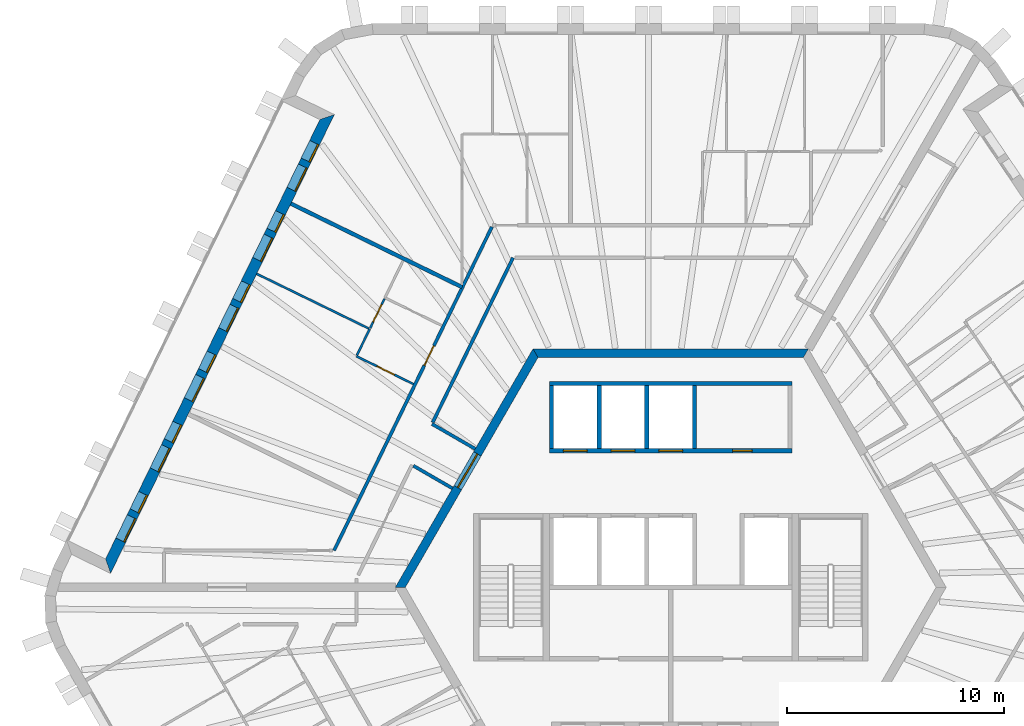
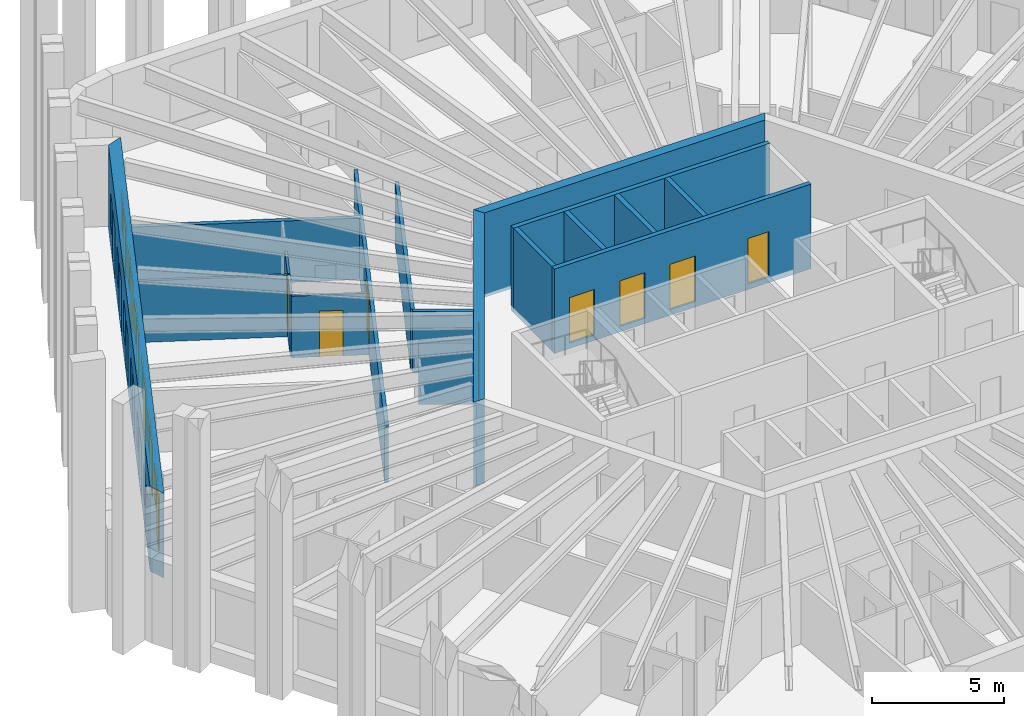
# One storey, part 8 of 13: 18 walls, 14 doors, 6 windows, 20 openings.
"""IFC4 building model written with IfcOpenShell, lengths in metres."""

from ifc_helpers import new_model, si_unit, direction, frame, frame_2d, origin, place, context, subcontext, project, spatial, polyline, rectangle, outline, extrude, material, layer, layer_set, type_object, element, fill, save


model = new_model("IFC4")

# Units and contexts
model_context = context("Model", 3, precision=1e-05, world=origin(), true_north=direction((0.0, 1.0)))
body_context = subcontext(model_context, "Body", "Model", "MODEL_VIEW")
ifc_project = project(units=[si_unit("LENGTHUNIT", "METRE"), si_unit("AREAUNIT", "SQUARE_METRE"), si_unit("VOLUMEUNIT", "CUBIC_METRE"), si_unit("PLANEANGLEUNIT", "RADIAN"), si_unit("MASSUNIT", "GRAM", prefix="KILO")], contexts=[model_context])

# Site, building, storey
site_placement = place(None, origin())
site = spatial("IfcSite", under=ifc_project, at=site_placement, CompositionType="ELEMENT")
building_placement = place(site_placement, origin())
building = spatial("IfcBuilding", under=site, at=building_placement, Name="Tarnside Tower", CompositionType="ELEMENT")
storey_placement = place(building_placement, frame((0.0, 0.0, 326.39990234375)))
storey = spatial("IfcBuildingStorey", under=building, at=storey_placement, Name="L79", CompositionType="ELEMENT", Elevation=326.39990234375)

# Wall, opening, door
ifc_material_1 = material(Name="Concrete C60/75", Category="concrete")
ifc_layer_1 = layer(ifc_material_1, 0.39990234375)
ifc_layer_set_1 = layer_set([ifc_layer_1], Name="Core wall Z3 400 C60/75")
wall_type_1 = type_object("IfcWallType", Name="Core wall Z3 400 C60/75", PredefinedType="SHEAR", material=ifc_layer_set_1)
wall_1_placement = place(storey_placement, frame((-6.2353515625, 10.800048828125, -0.14990234375), z_axis=(0.0, 0.0, 1.0), x_axis=(-0.499996419489, -0.866027470984, 0.0)))
wall_1 = element("IfcWall", 1, at=wall_1_placement, inside=storey, type_object=wall_type_1, Name="L79 core wall face 2", PredefinedType="SHEAR", context=body_context, shape_type="SweptSolid", body=[
    extrude(outline(polyline([(-0.115478515625, -0.199951171875), (12.586181640625, -0.199951171875), (12.355224609375, 0.199951171875), (0.115478515625, 0.199951171875), (-0.115478515625, -0.199951171875)])), origin(), (0.0, 0.0, 1.0), 3.89990234375),
])
opening_1_placement = place(wall_1_placement, frame((5.3642578125, 0.0, 0.14990234375)))
opening_1 = element("IfcOpeningElement", 2, at=opening_1_placement, cuts=wall_1, Name="Opening CD-LOB", PredefinedType="OPENING", context=body_context, shape_type="SweptSolid", body=[
    extrude(rectangle(XDim=1.800048828125, YDim=2.39990234375, at=frame_2d((0.89990234375, 1.199951171875))), frame((0.0, 0.2099609375, 0.0), z_axis=(0.0, -1.0, 0.0), x_axis=(1.0, 0.0, 0.0)), (0.0, 0.0, 1.0), 0.419921875),
])
ifc_material_2 = material(Name="Steel fire door", Category="steel")
door_type_1 = type_object("IfcDoorType", Name="Lobby double door FD30S 1800x2400", OperationType="NOTDEFINED", PredefinedType="DOOR", material=ifc_material_2)
door_1_placement = place(opening_1_placement, origin())
door_1 = element("IfcDoor", 3, at=door_1_placement, inside=storey, type_object=door_type_1, Name="L79 core door P1", OperationType="DOUBLE_DOOR_SINGLE_SWING", OverallHeight=2.39990234375, OverallWidth=1.800048828125, PredefinedType="DOOR", context=body_context, shape_type="SweptSolid", body=[
    extrude(rectangle(XDim=1.800048828125, YDim=2.39990234375, at=frame_2d((0.89990234375, 1.199951171875))), frame((0.0, 0.02490234375, 0.0), z_axis=(0.0, -1.0, 0.0), x_axis=(1.0, 0.0, 0.0)), (0.0, 0.0, 1.0), 0.050048828125),
])
fill(opening_1, door_1)

# Wall
wall_2_placement = place(storey_placement, frame((6.2353515625, 10.800048828125, -0.14990234375), z_axis=(0.0, 0.0, 1.0), x_axis=(-1.0, 0.0, 0.0)))
element("IfcWall", 4, at=wall_2_placement, inside=storey, type_object=wall_type_1, Name="L79 core wall face 1", PredefinedType="SHEAR", context=body_context, shape_type="SweptSolid", body=[
    extrude(outline(polyline([(-0.115478515625, -0.199951171875), (12.586181640625, -0.199951171875), (12.355224609375, 0.199951171875), (0.115478515625, 0.199951171875), (-0.115478515625, -0.199951171875)])), origin(), (0.0, 0.0, 1.0), 3.89990234375),
])

# Wall, opening, door
ifc_material_3 = material(Name="Gypsum board partition on steel studs", Category="steel")
ifc_layer_2 = layer(ifc_material_3, 0.14990234375)
ifc_layer_set_2 = layer_set([ifc_layer_2], Name="Corridor wall 150 EI 60")
wall_type_2 = type_object("IfcWallType", Name="Corridor wall 150 EI 60", PredefinedType="PARTITIONING", material=ifc_layer_set_2)
wall_3_placement = place(storey_placement, frame((-8.24658203125, 16.625, 0.0), z_axis=(0.0, 0.0, 1.0), x_axis=(-0.438376416131, -0.89879147625, 0.0)))
wall_3 = element("IfcWall", 5, at=wall_3_placement, inside=storey, type_object=wall_type_2, Name="Corridor wall 26009", PredefinedType="PARTITIONING", context=body_context, shape_type="SweptSolid", body=[
    extrude(rectangle(XDim=16.605712890625, YDim=0.14990234375, at=frame_2d((8.302734375, 0.0))), origin(), (0.0, 0.0, 1.0), 2.837890625),
])
opening_2_placement = place(wall_3_placement, frame((6.1025390625, 0.0, 0.0)))
opening_2 = element("IfcOpeningElement", 6, at=opening_2_placement, cuts=wall_3, Name="Opening D-E1", PredefinedType="OPENING", context=body_context, shape_type="SweptSolid", body=[
    extrude(rectangle(XDim=1.0, YDim=2.10009765625, at=frame_2d((0.5, 1.050048828125))), frame((0.0, 0.0849609375, 0.0), z_axis=(0.0, -1.0, 0.0), x_axis=(1.0, 0.0, 0.0)), (0.0, 0.0, 1.0), 0.169921875),
])
ifc_material_4 = material(Name="Timber door leaf", Category="wood")
door_type_2 = type_object("IfcDoorType", Name="Unit entrance door 1000 FD30S", OperationType="NOTDEFINED", PredefinedType="DOOR", material=ifc_material_4)
door_2_placement = place(opening_2_placement, origin())
door_2 = element("IfcDoor", 7, at=door_2_placement, inside=storey, type_object=door_type_2, Name="Unit door 26014", OperationType="SINGLE_SWING_LEFT", OverallHeight=2.10009765625, OverallWidth=1.0, PredefinedType="DOOR", context=body_context, shape_type="SweptSolid", body=[
    extrude(rectangle(XDim=1.0, YDim=2.10009765625, at=frame_2d((0.5, 1.050048828125))), frame((0.0, 0.02490234375, 0.0), z_axis=(0.0, -1.0, 0.0), x_axis=(1.0, 0.0, 0.0)), (0.0, 0.0, 1.0), 0.050048828125),
])
fill(opening_2, door_2)

# Walls
wall_4_placement = place(storey_placement, frame((-9.015625, 6.38427734375, 0.0), z_axis=(0.0, 0.0, 1.0), x_axis=(-0.866030286288, 0.49999154316, 0.0)))
element("IfcWall", 8, at=wall_4_placement, inside=storey, type_object=wall_type_2, Name="Corridor wall 26017", PredefinedType="PARTITIONING", context=body_context, shape_type="SweptSolid", body=[
    extrude(rectangle(XDim=2.3037109375, YDim=0.14990234375, at=frame_2d((1.15185546875, 0.0))), origin(), (0.0, 0.0, 1.0), 2.837890625),
])
wall_5_placement = place(storey_placement, frame((-10.977783203125, 7.603759765625, 0.0), z_axis=(0.0, 0.0, 1.0), x_axis=(0.43838720727, 0.898786212902, 0.0)))
element("IfcWall", 9, at=wall_5_placement, inside=storey, type_object=wall_type_2, Name="Corridor wall 26018", PredefinedType="PARTITIONING", context=body_context, shape_type="SweptSolid", body=[
    extrude(rectangle(XDim=8.45166015625, YDim=0.14990234375, at=frame_2d((4.225830078125, 0.0))), origin(), (0.0, 0.0, 1.0), 2.837890625),
])
wall_6_placement = place(storey_placement, frame((-11.868408203125, 5.6064453125, 0.0), z_axis=(0.0, 0.0, 1.0), x_axis=(0.866033244403, -0.499986419405, 0.0)))
element("IfcWall", 10, at=wall_6_placement, inside=storey, type_object=wall_type_2, Name="Corridor wall 26025", PredefinedType="PARTITIONING", context=body_context, shape_type="SweptSolid", body=[
    extrude(rectangle(XDim=2.08154296875, YDim=0.14990234375, at=frame_2d((1.040771484375, 0.0))), origin(), (0.0, 0.0, 1.0), 2.837890625),
])
ifc_layer_3 = layer(ifc_material_3, 0.179931640625)
ifc_layer_set_3 = layer_set([ifc_layer_3], Name="Demising wall 180 EI 60")
wall_type_3 = type_object("IfcWallType", Name="Demising wall 180 EI 60", PredefinedType="PARTITIONING", material=ifc_layer_set_3)
wall_7_placement = place(storey_placement, frame((-17.51611328125, 17.694091796875, 0.0), z_axis=(0.0, 0.0, 1.0), x_axis=(0.898787414812, -0.438384743092, 0.0)))
element("IfcWall", 11, at=wall_7_placement, inside=storey, type_object=wall_type_3, Name="Demising wall 26097", PredefinedType="PARTITIONING", context=body_context, shape_type="SweptSolid", body=[
    extrude(rectangle(XDim=8.781982421875, YDim=0.179931640625, at=frame_2d((4.39111328125, 0.0))), origin(), (0.0, 0.0, 1.0), 2.837890625),
])

# Wall, openings, doors
ifc_material_5 = material(Name="Concrete C40/50", Category="concrete")
ifc_layer_4 = layer(ifc_material_5, 0.199951171875)
ifc_layer_set_4 = layer_set([ifc_layer_4], Name="Lift shaft wall 200 C40/50")
wall_type_4 = type_object("IfcWallType", Name="Lift shaft wall 200 C40/50", PredefinedType="SHEAR", material=ifc_layer_set_4)
wall_8_placement = place(storey_placement, frame((-5.60009765625, 6.300048828125, -0.25), z_axis=(0.0, 0.0, 1.0), x_axis=(1.0, 0.0, 0.0)))
wall_8 = element("IfcWall", 12, at=wall_8_placement, inside=storey, type_object=wall_type_4, Name="L79 lift shaft front wall R1", PredefinedType="SHEAR", context=body_context, shape_type="SweptSolid", body=[
    extrude(rectangle(XDim=11.2001953125, YDim=0.199951171875, at=frame_2d((5.60009765625, 0.0))), origin(), (0.0, 0.0, 1.0), 3.900146484375),
])
opening_3_placement = place(wall_8_placement, frame((8.449951171875, 0.0, 0.25)))
opening_3 = element("IfcOpeningElement", 13, at=opening_3_placement, cuts=wall_8, Name="Opening CD-room", PredefinedType="OPENING", context=body_context, shape_type="SweptSolid", body=[
    extrude(rectangle(XDim=0.89990234375, YDim=2.10009765625, at=frame_2d((0.449951171875, 1.050048828125))), frame((0.0, 0.10986328125, 0.0), z_axis=(0.0, -1.0, 0.0), x_axis=(1.0, 0.0, 0.0)), (0.0, 0.0, 1.0), 0.219970703125),
])
opening_4_placement = place(wall_8_placement, frame((0.64990234375, 0.0, 0.25)))
opening_4 = element("IfcOpeningElement", 14, at=opening_4_placement, cuts=wall_8, Name="Opening LD", PredefinedType="OPENING", context=body_context, shape_type="SweptSolid", body=[
    extrude(rectangle(XDim=1.10009765625, YDim=2.10009765625, at=frame_2d((0.550048828125, 1.050048828125))), frame((0.0, 0.10986328125, 0.0), z_axis=(0.0, -1.0, 0.0), x_axis=(1.0, 0.0, 0.0)), (0.0, 0.0, 1.0), 0.219970703125),
])
opening_5_placement = place(wall_8_placement, frame((2.85009765625, 0.0, 0.25)))
opening_5 = element("IfcOpeningElement", 15, at=opening_5_placement, cuts=wall_8, Name="Opening LD", PredefinedType="OPENING", context=body_context, shape_type="SweptSolid", body=[
    extrude(rectangle(XDim=1.10009765625, YDim=2.10009765625, at=frame_2d((0.550048828125, 1.050048828125))), frame((0.0, 0.10986328125, 0.0), z_axis=(0.0, -1.0, 0.0), x_axis=(1.0, 0.0, 0.0)), (0.0, 0.0, 1.0), 0.219970703125),
])
opening_6_placement = place(wall_8_placement, frame((5.050048828125, 0.0, 0.25)))
opening_6 = element("IfcOpeningElement", 16, at=opening_6_placement, cuts=wall_8, Name="Opening LD", PredefinedType="OPENING", context=body_context, shape_type="SweptSolid", body=[
    extrude(rectangle(XDim=1.10009765625, YDim=2.10009765625, at=frame_2d((0.550048828125, 1.050048828125))), frame((0.0, 0.10986328125, 0.0), z_axis=(0.0, -1.0, 0.0), x_axis=(1.0, 0.0, 0.0)), (0.0, 0.0, 1.0), 0.219970703125),
])
ifc_material_6 = material(Name="Stainless steel", Category="steel")
door_type_3 = type_object("IfcDoorType", Name="Lift landing door 1100x2100", OperationType="NOTDEFINED", PredefinedType="DOOR", material=ifc_material_6)
door_3_placement = place(opening_4_placement, origin())
door_3 = element("IfcDoor", 17, at=door_3_placement, inside=storey, type_object=door_type_3, Name="High-rise lift 1 landing door L79", OperationType="SLIDING_TO_LEFT", OverallHeight=2.10009765625, OverallWidth=1.10009765625, PredefinedType="DOOR", context=body_context, shape_type="SweptSolid", body=[
    extrude(rectangle(XDim=1.10009765625, YDim=2.10009765625, at=frame_2d((0.550048828125, 1.050048828125))), frame((0.0, 0.02490234375, 0.0), z_axis=(0.0, -1.0, 0.0), x_axis=(1.0, 0.0, 0.0)), (0.0, 0.0, 1.0), 0.050048828125),
])
fill(opening_4, door_3)
door_4_placement = place(opening_5_placement, origin())
door_4 = element("IfcDoor", 18, at=door_4_placement, inside=storey, type_object=door_type_3, Name="High-rise lift 2 landing door L79", OperationType="SLIDING_TO_LEFT", OverallHeight=2.10009765625, OverallWidth=1.10009765625, PredefinedType="DOOR", context=body_context, shape_type="SweptSolid", body=[
    extrude(rectangle(XDim=1.10009765625, YDim=2.10009765625, at=frame_2d((0.550048828125, 1.050048828125))), frame((0.0, 0.02490234375, 0.0), z_axis=(0.0, -1.0, 0.0), x_axis=(1.0, 0.0, 0.0)), (0.0, 0.0, 1.0), 0.050048828125),
])
fill(opening_5, door_4)
door_5_placement = place(opening_6_placement, origin())
door_5 = element("IfcDoor", 19, at=door_5_placement, inside=storey, type_object=door_type_3, Name="High-rise lift 3 landing door L79", OperationType="SLIDING_TO_LEFT", OverallHeight=2.10009765625, OverallWidth=1.10009765625, PredefinedType="DOOR", context=body_context, shape_type="SweptSolid", body=[
    extrude(rectangle(XDim=1.10009765625, YDim=2.10009765625, at=frame_2d((0.550048828125, 1.050048828125))), frame((0.0, 0.02490234375, 0.0), z_axis=(0.0, -1.0, 0.0), x_axis=(1.0, 0.0, 0.0)), (0.0, 0.0, 1.0), 0.050048828125),
])
fill(opening_6, door_5)
door_type_4 = type_object("IfcDoorType", Name="Room door FD60 900x2100", OperationType="NOTDEFINED", PredefinedType="DOOR", material=ifc_material_2)
door_6_placement = place(opening_3_placement, origin())
door_6 = element("IfcDoor", 20, at=door_6_placement, inside=storey, type_object=door_type_4, Name="L79 core room door FC1", OperationType="SINGLE_SWING_LEFT", OverallHeight=2.10009765625, OverallWidth=0.89990234375, PredefinedType="DOOR", context=body_context, shape_type="SweptSolid", body=[
    extrude(rectangle(XDim=0.89990234375, YDim=2.10009765625, at=frame_2d((0.449951171875, 1.050048828125))), frame((0.0, 0.02490234375, 0.0), z_axis=(0.0, -1.0, 0.0), x_axis=(1.0, 0.0, 0.0)), (0.0, 0.0, 1.0), 0.050048828125),
])
fill(opening_3, door_6)

# Walls
wall_9_placement = place(storey_placement, frame((-5.60009765625, 9.39990234375, -0.25), z_axis=(0.0, 0.0, 1.0), x_axis=(1.0, 0.0, 0.0)))
element("IfcWall", 21, at=wall_9_placement, inside=storey, type_object=wall_type_4, Name="L79 lift shaft back wall R1", PredefinedType="SHEAR", context=body_context, shape_type="SweptSolid", body=[
    extrude(rectangle(XDim=11.2001953125, YDim=0.199951171875, at=frame_2d((5.60009765625, 0.0))), origin(), (0.0, 0.0, 1.0), 3.900146484375),
])
for number, where, z_axis, x_axis, name in (
    (22, (-5.5, 6.39990234375, -0.25), (0.0, 0.0, 1.0), (0.0, 1.0, 0.0), "L79 lift shaft partition R11"),
    (23, (-3.300048828125, 6.39990234375, -0.25), (0.0, 0.0, 1.0), (0.0, 1.0, 0.0), "L79 lift shaft partition R12"),
    (24, (-1.10009765625, 6.39990234375, -0.25), (0.0, 0.0, 1.0), (0.0, 1.0, 0.0), "L79 lift shaft partition R13"),
    (25, (1.10009765625, 6.39990234375, -0.25), (0.0, 0.0, 1.0), (0.0, 1.0, 0.0), "L79 lift shaft partition R14"),
):
    element("IfcWall", number, at=place(storey_placement, frame(where, z_axis=z_axis, x_axis=x_axis)), inside=storey, type_object=wall_type_4, Name=name, PredefinedType="SHEAR", context=body_context, shape_type="SweptSolid", body=[
        extrude(rectangle(XDim=2.900146484375, YDim=0.199951171875, at=frame_2d((1.4501953125, 0.0))), origin(), (0.0, 0.0, 1.0), 3.900146484375),
    ])

# Wall, openings, doors, windows
ifc_material_7 = material(Name="Dark zinc cladding")
ifc_layer_5 = layer(ifc_material_7, 0.10205078125)
ifc_material_8 = material(Name="Concrete C60/75 precast", Category="concrete")
ifc_layer_6 = layer(ifc_material_8, 0.298095703125)
ifc_material_9 = material(Name="Mineral wool insulation")
ifc_layer_7 = layer(ifc_material_9, 0.10009765625)
ifc_layer_set_5 = layer_set([ifc_layer_5, ifc_layer_6, ifc_layer_7], Name="Loggia wall 500 zinc faced")
wall_type_5 = type_object("IfcWallType", Name="Loggia wall 500 zinc faced", PredefinedType="SOLIDWALL", material=ifc_layer_set_5)
wall_10_placement = place(storey_placement, frame((-15.845947265625, 21.6884765625, -0.14990234375), z_axis=(0.0, 0.0, 1.0), x_axis=(-0.438377502627, -0.898790946322, 0.0)))
wall_10 = element("IfcWall", 26, at=wall_10_placement, inside=storey, type_object=wall_type_5, Name="Tube wall L79 F2 back 06", PredefinedType="SOLIDWALL", context=body_context, shape_type="SweptSolid", body=[
    extrude(outline(polyline([(0.25, -0.25), (22.794677734375, -0.25), (23.294677734375, 0.25), (-0.25, 0.25), (0.25, -0.25)])), origin(), (0.0, 0.0, 1.0), 3.89990234375),
])
opening_7_placement = place(wall_10_placement, frame((1.322509765625, 0.0, 1.050048828125)))
opening_7 = element("IfcOpeningElement", 27, at=opening_7_placement, cuts=wall_10, Name="Opening WL500", PredefinedType="OPENING", context=body_context, shape_type="SweptSolid", body=[
    extrude(rectangle(XDim=0.89990234375, YDim=1.5, at=frame_2d((0.449951171875, 0.75))), frame((0.0, 0.260009765625, 0.0), z_axis=(0.0, -1.0, 0.0), x_axis=(1.0, 0.0, 0.0)), (0.0, 0.0, 1.0), 0.52001953125),
])
opening_8_placement = place(wall_10_placement, frame((2.5224609375, 0.0, 0.14990234375)))
opening_8 = element("IfcOpeningElement", 28, at=opening_8_placement, cuts=wall_10, Name="Opening DB500", PredefinedType="OPENING", context=body_context, shape_type="SweptSolid", body=[
    extrude(rectangle(XDim=1.199951171875, YDim=2.39990234375, at=frame_2d((0.60009765625, 1.199951171875))), frame((0.0, 0.260009765625, 0.0), z_axis=(0.0, -1.0, 0.0), x_axis=(1.0, 0.0, 0.0)), (0.0, 0.0, 1.0), 0.52001953125),
])
opening_9_placement = place(wall_10_placement, frame((4.92236328125, 0.0, 1.050048828125)))
opening_9 = element("IfcOpeningElement", 29, at=opening_9_placement, cuts=wall_10, Name="Opening WL500", PredefinedType="OPENING", context=body_context, shape_type="SweptSolid", body=[
    extrude(rectangle(XDim=0.89990234375, YDim=1.5, at=frame_2d((0.449951171875, 0.75))), frame((0.0, 0.260009765625, 0.0), z_axis=(0.0, -1.0, 0.0), x_axis=(1.0, 0.0, 0.0)), (0.0, 0.0, 1.0), 0.52001953125),
])
opening_10_placement = place(wall_10_placement, frame((6.122314453125, 0.0, 0.14990234375)))
opening_10 = element("IfcOpeningElement", 30, at=opening_10_placement, cuts=wall_10, Name="Opening DB500", PredefinedType="OPENING", context=body_context, shape_type="SweptSolid", body=[
    extrude(rectangle(XDim=1.199951171875, YDim=2.39990234375, at=frame_2d((0.60009765625, 1.199951171875))), frame((0.0, 0.260009765625, 0.0), z_axis=(0.0, -1.0, 0.0), x_axis=(1.0, 0.0, 0.0)), (0.0, 0.0, 1.0), 0.52001953125),
])
opening_11_placement = place(wall_10_placement, frame((8.5224609375, 0.0, 1.050048828125)))
opening_11 = element("IfcOpeningElement", 31, at=opening_11_placement, cuts=wall_10, Name="Opening WL500", PredefinedType="OPENING", context=body_context, shape_type="SweptSolid", body=[
    extrude(rectangle(XDim=0.89990234375, YDim=1.5, at=frame_2d((0.449951171875, 0.75))), frame((0.0, 0.260009765625, 0.0), z_axis=(0.0, -1.0, 0.0), x_axis=(1.0, 0.0, 0.0)), (0.0, 0.0, 1.0), 0.52001953125),
])
opening_12_placement = place(wall_10_placement, frame((9.722412109375, 0.0, 0.14990234375)))
opening_12 = element("IfcOpeningElement", 32, at=opening_12_placement, cuts=wall_10, Name="Opening DB500", PredefinedType="OPENING", context=body_context, shape_type="SweptSolid", body=[
    extrude(rectangle(XDim=1.199951171875, YDim=2.39990234375, at=frame_2d((0.60009765625, 1.199951171875))), frame((0.0, 0.260009765625, 0.0), z_axis=(0.0, -1.0, 0.0), x_axis=(1.0, 0.0, 0.0)), (0.0, 0.0, 1.0), 0.52001953125),
])
opening_13_placement = place(wall_10_placement, frame((12.122314453125, 0.0, 1.050048828125)))
opening_13 = element("IfcOpeningElement", 33, at=opening_13_placement, cuts=wall_10, Name="Opening WL500", PredefinedType="OPENING", context=body_context, shape_type="SweptSolid", body=[
    extrude(rectangle(XDim=0.89990234375, YDim=1.5, at=frame_2d((0.449951171875, 0.75))), frame((0.0, 0.260009765625, 0.0), z_axis=(0.0, -1.0, 0.0), x_axis=(1.0, 0.0, 0.0)), (0.0, 0.0, 1.0), 0.52001953125),
])
opening_14_placement = place(wall_10_placement, frame((13.322509765625, 0.0, 0.14990234375)))
opening_14 = element("IfcOpeningElement", 34, at=opening_14_placement, cuts=wall_10, Name="Opening DB500", PredefinedType="OPENING", context=body_context, shape_type="SweptSolid", body=[
    extrude(rectangle(XDim=1.199951171875, YDim=2.39990234375, at=frame_2d((0.60009765625, 1.199951171875))), frame((0.0, 0.260009765625, 0.0), z_axis=(0.0, -1.0, 0.0), x_axis=(1.0, 0.0, 0.0)), (0.0, 0.0, 1.0), 0.52001953125),
])
opening_15_placement = place(wall_10_placement, frame((15.722412109375, 0.0, 1.050048828125)))
opening_15 = element("IfcOpeningElement", 35, at=opening_15_placement, cuts=wall_10, Name="Opening WL500", PredefinedType="OPENING", context=body_context, shape_type="SweptSolid", body=[
    extrude(rectangle(XDim=0.89990234375, YDim=1.5, at=frame_2d((0.449951171875, 0.75))), frame((0.0, 0.260009765625, 0.0), z_axis=(0.0, -1.0, 0.0), x_axis=(1.0, 0.0, 0.0)), (0.0, 0.0, 1.0), 0.52001953125),
])
opening_16_placement = place(wall_10_placement, frame((16.92236328125, 0.0, 0.14990234375)))
opening_16 = element("IfcOpeningElement", 36, at=opening_16_placement, cuts=wall_10, Name="Opening DB500", PredefinedType="OPENING", context=body_context, shape_type="SweptSolid", body=[
    extrude(rectangle(XDim=1.199951171875, YDim=2.39990234375, at=frame_2d((0.60009765625, 1.199951171875))), frame((0.0, 0.260009765625, 0.0), z_axis=(0.0, -1.0, 0.0), x_axis=(1.0, 0.0, 0.0)), (0.0, 0.0, 1.0), 0.52001953125),
])
opening_17_placement = place(wall_10_placement, frame((19.322509765625, 0.0, 1.050048828125)))
opening_17 = element("IfcOpeningElement", 37, at=opening_17_placement, cuts=wall_10, Name="Opening WL500", PredefinedType="OPENING", context=body_context, shape_type="SweptSolid", body=[
    extrude(rectangle(XDim=0.89990234375, YDim=1.5, at=frame_2d((0.449951171875, 0.75))), frame((0.0, 0.260009765625, 0.0), z_axis=(0.0, -1.0, 0.0), x_axis=(1.0, 0.0, 0.0)), (0.0, 0.0, 1.0), 0.52001953125),
])
opening_18_placement = place(wall_10_placement, frame((20.5224609375, 0.0, 0.14990234375)))
opening_18 = element("IfcOpeningElement", 38, at=opening_18_placement, cuts=wall_10, Name="Opening DB500", PredefinedType="OPENING", context=body_context, shape_type="SweptSolid", body=[
    extrude(rectangle(XDim=1.199951171875, YDim=2.39990234375, at=frame_2d((0.60009765625, 1.199951171875))), frame((0.0, 0.260009765625, 0.0), z_axis=(0.0, -1.0, 0.0), x_axis=(1.0, 0.0, 0.0)), (0.0, 0.0, 1.0), 0.52001953125),
])
ifc_material_10 = material(Name="Aluminium-framed double glazing", Category="aluminium")
door_type_5 = type_object("IfcDoorType", Name="Balcony sliding door 1200 x 2400 in 500 wall", OperationType="SLIDING_TO_LEFT", PredefinedType="DOOR", material=ifc_material_10)
door_7_placement = place(opening_8_placement, frame((0.0, 0.1748046875, 0.0)))
door_7 = element("IfcDoor", 39, at=door_7_placement, inside=storey, type_object=door_type_5, Name="E.BD.L79.F2.00", OperationType="SLIDING_TO_LEFT", OverallHeight=2.39990234375, OverallWidth=1.199951171875, PredefinedType="DOOR", context=body_context, shape_type="SweptSolid", body=[
    extrude(rectangle(XDim=1.199951171875, YDim=2.39990234375, at=frame_2d((0.60009765625, 1.199951171875))), frame((0.0, 0.02490234375, 0.0), z_axis=(0.0, -1.0, 0.0), x_axis=(1.0, 0.0, 0.0)), (0.0, 0.0, 1.0), 0.050048828125),
])
fill(opening_8, door_7)
door_8_placement = place(opening_10_placement, frame((0.0, 0.1748046875, 0.0)))
door_8 = element("IfcDoor", 40, at=door_8_placement, inside=storey, type_object=door_type_5, Name="E.BD.L79.F2.01", OperationType="SLIDING_TO_LEFT", OverallHeight=2.39990234375, OverallWidth=1.199951171875, PredefinedType="DOOR", context=body_context, shape_type="SweptSolid", body=[
    extrude(rectangle(XDim=1.199951171875, YDim=2.39990234375, at=frame_2d((0.60009765625, 1.199951171875))), frame((0.0, 0.02490234375, 0.0), z_axis=(0.0, -1.0, 0.0), x_axis=(1.0, 0.0, 0.0)), (0.0, 0.0, 1.0), 0.050048828125),
])
fill(opening_10, door_8)
door_9_placement = place(opening_12_placement, frame((0.0, 0.1748046875, 0.0)))
door_9 = element("IfcDoor", 41, at=door_9_placement, inside=storey, type_object=door_type_5, Name="E.BD.L79.F2.02", OperationType="SLIDING_TO_LEFT", OverallHeight=2.39990234375, OverallWidth=1.199951171875, PredefinedType="DOOR", context=body_context, shape_type="SweptSolid", body=[
    extrude(rectangle(XDim=1.199951171875, YDim=2.39990234375, at=frame_2d((0.60009765625, 1.199951171875))), frame((0.0, 0.02490234375, 0.0), z_axis=(0.0, -1.0, 0.0), x_axis=(1.0, 0.0, 0.0)), (0.0, 0.0, 1.0), 0.050048828125),
])
fill(opening_12, door_9)
door_10_placement = place(opening_14_placement, frame((0.0, 0.1748046875, 0.0)))
door_10 = element("IfcDoor", 42, at=door_10_placement, inside=storey, type_object=door_type_5, Name="E.BD.L79.F2.03", OperationType="SLIDING_TO_LEFT", OverallHeight=2.39990234375, OverallWidth=1.199951171875, PredefinedType="DOOR", context=body_context, shape_type="SweptSolid", body=[
    extrude(rectangle(XDim=1.199951171875, YDim=2.39990234375, at=frame_2d((0.60009765625, 1.199951171875))), frame((0.0, 0.02490234375, 0.0), z_axis=(0.0, -1.0, 0.0), x_axis=(1.0, 0.0, 0.0)), (0.0, 0.0, 1.0), 0.050048828125),
])
fill(opening_14, door_10)
door_11_placement = place(opening_16_placement, frame((0.0, 0.1748046875, 0.0)))
door_11 = element("IfcDoor", 43, at=door_11_placement, inside=storey, type_object=door_type_5, Name="E.BD.L79.F2.04", OperationType="SLIDING_TO_LEFT", OverallHeight=2.39990234375, OverallWidth=1.199951171875, PredefinedType="DOOR", context=body_context, shape_type="SweptSolid", body=[
    extrude(rectangle(XDim=1.199951171875, YDim=2.39990234375, at=frame_2d((0.60009765625, 1.199951171875))), frame((0.0, 0.02490234375, 0.0), z_axis=(0.0, -1.0, 0.0), x_axis=(1.0, 0.0, 0.0)), (0.0, 0.0, 1.0), 0.050048828125),
])
fill(opening_16, door_11)
door_12_placement = place(opening_18_placement, frame((0.0, 0.1748046875, 0.0)))
door_12 = element("IfcDoor", 44, at=door_12_placement, inside=storey, type_object=door_type_5, Name="E.BD.L79.F2.05", OperationType="SLIDING_TO_LEFT", OverallHeight=2.39990234375, OverallWidth=1.199951171875, PredefinedType="DOOR", context=body_context, shape_type="SweptSolid", body=[
    extrude(rectangle(XDim=1.199951171875, YDim=2.39990234375, at=frame_2d((0.60009765625, 1.199951171875))), frame((0.0, 0.02490234375, 0.0), z_axis=(0.0, -1.0, 0.0), x_axis=(1.0, 0.0, 0.0)), (0.0, 0.0, 1.0), 0.050048828125),
])
fill(opening_18, door_12)
window_type = type_object("IfcWindowType", Name="Loggia window 900 x 1500 in 500 wall", PartitioningType="SINGLE_PANEL", PredefinedType="WINDOW", material=ifc_material_10)
window_1_placement = place(opening_7_placement, frame((0.0, 0.179931640625, 0.0)))
window_1 = element("IfcWindow", 45, at=window_1_placement, inside=storey, type_object=window_type, Name="E.LW.L79.F2.00", OverallHeight=1.5, OverallWidth=0.89990234375, PartitioningType="SINGLE_PANEL", PredefinedType="WINDOW", context=body_context, shape_type="SweptSolid", body=[
    extrude(rectangle(XDim=0.89990234375, YDim=1.5, at=frame_2d((0.449951171875, 0.75))), frame((0.0, 0.030029296875, 0.0), z_axis=(0.0, -1.0, 0.0), x_axis=(1.0, 0.0, 0.0)), (0.0, 0.0, 1.0), 0.06005859375),
])
fill(opening_7, window_1)
window_2_placement = place(opening_9_placement, frame((0.0, 0.179931640625, 0.0)))
window_2 = element("IfcWindow", 46, at=window_2_placement, inside=storey, type_object=window_type, Name="E.LW.L79.F2.01", OverallHeight=1.5, OverallWidth=0.89990234375, PartitioningType="SINGLE_PANEL", PredefinedType="WINDOW", context=body_context, shape_type="SweptSolid", body=[
    extrude(rectangle(XDim=0.89990234375, YDim=1.5, at=frame_2d((0.449951171875, 0.75))), frame((0.0, 0.030029296875, 0.0), z_axis=(0.0, -1.0, 0.0), x_axis=(1.0, 0.0, 0.0)), (0.0, 0.0, 1.0), 0.06005859375),
])
fill(opening_9, window_2)
window_3_placement = place(opening_11_placement, frame((0.0, 0.179931640625, 0.0)))
window_3 = element("IfcWindow", 47, at=window_3_placement, inside=storey, type_object=window_type, Name="E.LW.L79.F2.02", OverallHeight=1.5, OverallWidth=0.89990234375, PartitioningType="SINGLE_PANEL", PredefinedType="WINDOW", context=body_context, shape_type="SweptSolid", body=[
    extrude(rectangle(XDim=0.89990234375, YDim=1.5, at=frame_2d((0.449951171875, 0.75))), frame((0.0, 0.030029296875, 0.0), z_axis=(0.0, -1.0, 0.0), x_axis=(1.0, 0.0, 0.0)), (0.0, 0.0, 1.0), 0.06005859375),
])
fill(opening_11, window_3)
window_4_placement = place(opening_13_placement, frame((0.0, 0.179931640625, 0.0)))
window_4 = element("IfcWindow", 48, at=window_4_placement, inside=storey, type_object=window_type, Name="E.LW.L79.F2.03", OverallHeight=1.5, OverallWidth=0.89990234375, PartitioningType="SINGLE_PANEL", PredefinedType="WINDOW", context=body_context, shape_type="SweptSolid", body=[
    extrude(rectangle(XDim=0.89990234375, YDim=1.5, at=frame_2d((0.449951171875, 0.75))), frame((0.0, 0.030029296875, 0.0), z_axis=(0.0, -1.0, 0.0), x_axis=(1.0, 0.0, 0.0)), (0.0, 0.0, 1.0), 0.06005859375),
])
fill(opening_13, window_4)
window_5_placement = place(opening_15_placement, frame((0.0, 0.179931640625, 0.0)))
window_5 = element("IfcWindow", 49, at=window_5_placement, inside=storey, type_object=window_type, Name="E.LW.L79.F2.04", OverallHeight=1.5, OverallWidth=0.89990234375, PartitioningType="SINGLE_PANEL", PredefinedType="WINDOW", context=body_context, shape_type="SweptSolid", body=[
    extrude(rectangle(XDim=0.89990234375, YDim=1.5, at=frame_2d((0.449951171875, 0.75))), frame((0.0, 0.030029296875, 0.0), z_axis=(0.0, -1.0, 0.0), x_axis=(1.0, 0.0, 0.0)), (0.0, 0.0, 1.0), 0.06005859375),
])
fill(opening_15, window_5)
window_6_placement = place(opening_17_placement, frame((0.0, 0.179931640625, 0.0)))
window_6 = element("IfcWindow", 50, at=window_6_placement, inside=storey, type_object=window_type, Name="E.LW.L79.F2.05", OverallHeight=1.5, OverallWidth=0.89990234375, PartitioningType="SINGLE_PANEL", PredefinedType="WINDOW", context=body_context, shape_type="SweptSolid", body=[
    extrude(rectangle(XDim=0.89990234375, YDim=1.5, at=frame_2d((0.449951171875, 0.75))), frame((0.0, 0.030029296875, 0.0), z_axis=(0.0, -1.0, 0.0), x_axis=(1.0, 0.0, 0.0)), (0.0, 0.0, 1.0), 0.06005859375),
])
fill(opening_17, window_6)

# Wall, opening, door
ifc_layer_8 = layer(ifc_material_3, 0.10009765625)
ifc_layer_set_6 = layer_set([ifc_layer_8], Name="Partition 100")
wall_type_6 = type_object("IfcWallType", Name="Partition 100", PredefinedType="PARTITIONING", material=ifc_layer_set_6)
wall_11_placement = place(storey_placement, frame((-11.865966796875, 9.375244140625, 0.0), z_axis=(0.0, 0.0, 1.0), x_axis=(-0.89880694479, 0.438344699976, 0.0)))
wall_11 = element("IfcWall", 51, at=wall_11_placement, inside=storey, type_object=wall_type_6, Name="Partition wall 26102", PredefinedType="PARTITIONING", context=body_context, shape_type="SweptSolid", body=[
    extrude(rectangle(XDim=2.925048828125, YDim=0.10009765625, at=frame_2d((1.46240234375, 0.0))), origin(), (0.0, 0.0, 1.0), 2.837890625),
])
opening_19_placement = place(wall_11_placement, frame((0.97509765625, 0.0, 0.0)))
opening_19 = element("IfcOpeningElement", 52, at=opening_19_placement, cuts=wall_11, Name="Opening D-I1", PredefinedType="OPENING", context=body_context, shape_type="SweptSolid", body=[
    extrude(rectangle(XDim=0.89990234375, YDim=2.10009765625, at=frame_2d((0.449951171875, 1.050048828125))), frame((0.0, 0.06005859375, 0.0), z_axis=(0.0, -1.0, 0.0), x_axis=(1.0, 0.0, 0.0)), (0.0, 0.0, 1.0), 0.1201171875),
])
door_type_6 = type_object("IfcDoorType", Name="Internal door 900", OperationType="NOTDEFINED", PredefinedType="DOOR", material=ifc_material_4)
door_13_placement = place(opening_19_placement, origin())
door_13 = element("IfcDoor", 53, at=door_13_placement, inside=storey, type_object=door_type_6, Name="Internal door 26016", OperationType="SINGLE_SWING_RIGHT", OverallHeight=2.10009765625, OverallWidth=0.89990234375, PredefinedType="DOOR", context=body_context, shape_type="SweptSolid", body=[
    extrude(rectangle(XDim=0.89990234375, YDim=2.10009765625, at=frame_2d((0.449951171875, 1.050048828125))), frame((0.0, 0.02490234375, 0.0), z_axis=(0.0, -1.0, 0.0), x_axis=(1.0, 0.0, 0.0)), (0.0, 0.0, 1.0), 0.050048828125),
])
fill(opening_19, door_13)

# Walls
wall_12_placement = place(storey_placement, frame((-14.47314453125, 10.702392578125, 0.0), z_axis=(0.0, 0.0, 1.0), x_axis=(0.43838094449, 0.898789267575, 0.0)))
element("IfcWall", 54, at=wall_12_placement, inside=storey, type_object=wall_type_6, Name="Partition wall 26103", PredefinedType="PARTITIONING", context=body_context, shape_type="SweptSolid", body=[
    extrude(rectangle(XDim=1.352294921875, YDim=0.10009765625, at=frame_2d((0.67626953125, 0.0))), origin(), (0.0, 0.0, 1.0), 2.837890625),
])
wall_13_placement = place(storey_placement, frame((-13.92626953125, 11.937744140625, 0.0), z_axis=(0.0, 0.0, 1.0), x_axis=(-0.898782727556, 0.438394352892, 0.0)))
element("IfcWall", 55, at=wall_13_placement, inside=storey, type_object=wall_type_6, Name="Partition wall 26104", PredefinedType="PARTITIONING", context=body_context, shape_type="SweptSolid", body=[
    extrude(rectangle(XDim=5.75, YDim=0.10009765625, at=frame_2d((2.875, 0.0))), origin(), (0.0, 0.0, 1.0), 2.837890625),
])

# Wall, opening, door
wall_14_placement = place(storey_placement, frame((-13.200927734375, 13.310791015625, 0.0), z_axis=(0.0, 0.0, 1.0), x_axis=(-0.438349979378, -0.898804370027, 0.0)))
wall_14 = element("IfcWall", 56, at=wall_14_placement, inside=storey, type_object=wall_type_6, Name="Partition wall 26107", PredefinedType="PARTITIONING", context=body_context, shape_type="SweptSolid", body=[
    extrude(rectangle(XDim=1.502197265625, YDim=0.10009765625, at=frame_2d((0.7509765625, 0.0))), origin(), (0.0, 0.0, 1.0), 2.837890625),
])
opening_20_placement = place(wall_14_placement, frame((0.302001953125, 0.0, 0.0)))
opening_20 = element("IfcOpeningElement", 57, at=opening_20_placement, cuts=wall_14, Name="Opening D-I1", PredefinedType="OPENING", context=body_context, shape_type="SweptSolid", body=[
    extrude(rectangle(XDim=0.89990234375, YDim=2.10009765625, at=frame_2d((0.449951171875, 1.050048828125))), frame((0.0, 0.06005859375, 0.0), z_axis=(0.0, -1.0, 0.0), x_axis=(1.0, 0.0, 0.0)), (0.0, 0.0, 1.0), 0.1201171875),
])
door_14_placement = place(opening_20_placement, origin())
door_14 = element("IfcDoor", 58, at=door_14_placement, inside=storey, type_object=door_type_6, Name="Internal door 26017", OperationType="SINGLE_SWING_RIGHT", OverallHeight=2.10009765625, OverallWidth=0.89990234375, PredefinedType="DOOR", context=body_context, shape_type="SweptSolid", body=[
    extrude(rectangle(XDim=0.89990234375, YDim=2.10009765625, at=frame_2d((0.449951171875, 1.050048828125))), frame((0.0, 0.02490234375, 0.0), z_axis=(0.0, -1.0, 0.0), x_axis=(1.0, 0.0, 0.0)), (0.0, 0.0, 1.0), 0.050048828125),
])
fill(opening_20, door_14)

save(model, "model.ifc")
